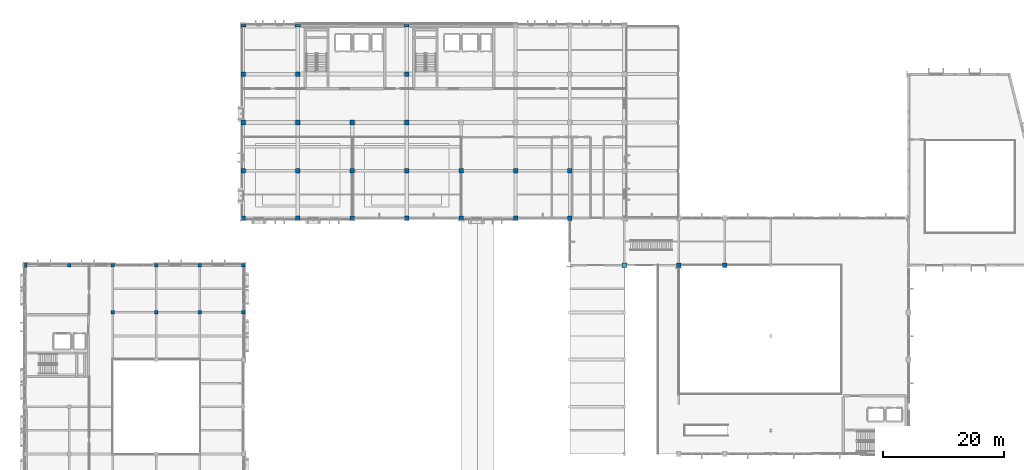
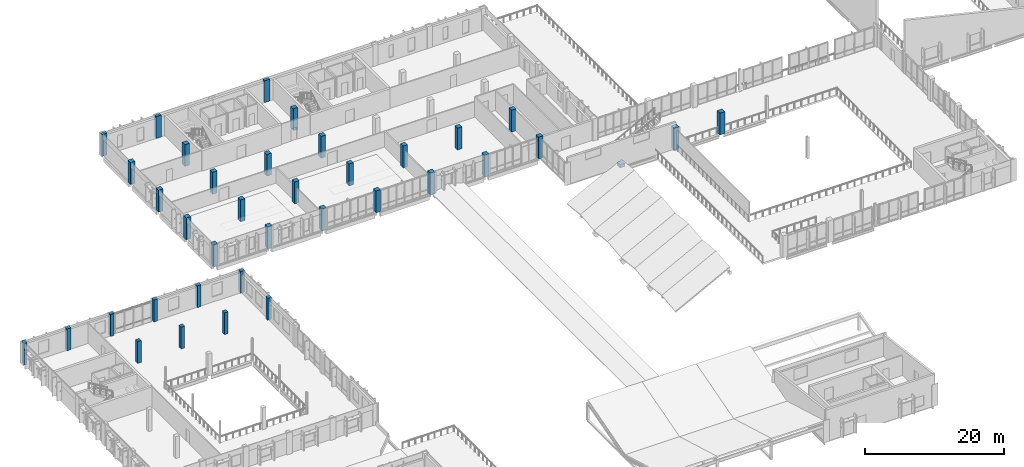
# One storey, part 7 of 64: 37 columns.
"""IFC4 building model written with IfcOpenShell, lengths in metres."""

import ifcopenshell
import ifcopenshell.guid

model = None  # the IFC model being written
_history = None  # IfcOwnerHistory: only IFC2X3 demands one
_inside = {}  # id of a spatial element -> (the spatial element, [elements in it])
_under = {}  # id of a project, library or spatial element -> (it, [spatial elements below it])
_declared = {}  # id of a project -> (the project, [libraries it declares])
_typed = {}  # id of a type object -> (the type object, [elements of that type])
_made_of = {}  # id of a material, layer set ... -> (it, [elements and type objects made of it])


def new_model(schema):
    """Start an empty IFC model of exactly this schema.

    Asked for "IFC4X3", IfcOpenShell would pick the latest addendum, in which some entities
    have other attributes; the version numbers below select the first issue.
    IFC2X3 requires an IfcOwnerHistory on every rooted entity: one is made here for all.
    """
    global model, _history
    if schema == "IFC4X3":
        model = ifcopenshell.file(schema_version=(4, 3, 0, 0))
    else:
        model = ifcopenshell.file(schema=schema)
    _inside.clear()
    _under.clear()
    _declared.clear()
    _typed.clear()
    _made_of.clear()
    _history = None
    if model.schema == "IFC2X3":
        org = make("IfcOrganization", Name="unknown")
        user = make(
            "IfcPersonAndOrganization",
            ThePerson=make("IfcPerson", FamilyName="unknown"),
            TheOrganization=org,
        )
        app = make(
            "IfcApplication",
            ApplicationDeveloper=org,
            Version="unknown",
            ApplicationFullName="unknown",
            ApplicationIdentifier="unknown",
        )
        _history = make(
            "IfcOwnerHistory",
            OwningUser=user,
            OwningApplication=app,
            ChangeAction="ADDED",
            CreationDate=0,
        )
    return model


def make(cls, **values):
    """One entity of the class cls with the attributes given. An attribute that is None is left unset."""
    return model.create_entity(
        cls, **{name: value for name, value in values.items() if value is not None}
    )


def rooted(cls, **values):
    """An entity with a GlobalId (a new one), such as an element, a storey or a relation."""
    return make(cls, GlobalId=ifcopenshell.guid.new(), OwnerHistory=_history, **values)


def si_unit(unit_type, name, prefix=None):
    """IfcSIUnit, for example si_unit("LENGTHUNIT", "METRE", prefix="MILLI")."""
    return make("IfcSIUnit", UnitType=unit_type, Prefix=prefix, Name=name)


def assignment(units):
    """IfcUnitAssignment: the units of a project."""
    return None if units is None else make("IfcUnitAssignment", Units=units)


def point(xyz):
    """IfcCartesianPoint."""
    return None if xyz is None else make("IfcCartesianPoint", Coordinates=xyz)


def direction(xyz):
    """IfcDirection."""
    return None if xyz is None else make("IfcDirection", DirectionRatios=xyz)


def frame(location, z_axis=None, x_axis=None):
    """IfcAxis2Placement3D, a coordinate frame: its origin and axes. An axis left out is left unset."""
    return make(
        "IfcAxis2Placement3D",
        Location=point(location),
        Axis=direction(z_axis),
        RefDirection=direction(x_axis),
    )


def frame_2d(location, x_axis=None):
    """IfcAxis2Placement2D, a coordinate frame in the plane: its origin and x axis."""
    return make(
        "IfcAxis2Placement2D", Location=point(location), RefDirection=direction(x_axis)
    )


def origin():
    """The frame at (0, 0, 0) with its axes left unset."""
    return frame((0.0, 0.0, 0.0))


def origin_2d():
    """The frame at (0, 0) in the plane with its x axis left unset."""
    return frame_2d((0.0, 0.0))


def place(relative_to, where):
    """IfcLocalPlacement: puts the frame where relative to a parent placement (None: the world)."""
    return make(
        "IfcLocalPlacement", PlacementRelTo=relative_to, RelativePlacement=where
    )


def context(
    kind, dimensions, precision=None, world=None, true_north=None, identifier=None
):
    """IfcGeometricRepresentationContext, for example the 3D "Model" context."""
    return make(
        "IfcGeometricRepresentationContext",
        ContextIdentifier=identifier,
        ContextType=kind,
        CoordinateSpaceDimension=dimensions,
        Precision=precision,
        WorldCoordinateSystem=world,
        TrueNorth=true_north,
    )


def subcontext(parent, identifier, kind, view, scale=None):
    """IfcGeometricRepresentationSubContext, for example "Body" below "Model"."""
    return make(
        "IfcGeometricRepresentationSubContext",
        ContextIdentifier=identifier,
        ContextType=kind,
        ParentContext=parent,
        TargetScale=scale,
        TargetView=view,
    )


def project(units=None, contexts=None):
    """IfcProject with its units and contexts."""
    return rooted(
        "IfcProject",
        Name="project",
        RepresentationContexts=contexts,
        UnitsInContext=assignment(units),
    )


def spatial(cls, under=None, at=None, **own):
    """A site, building, storey or space (cls), placed at a placement, below another one or the project."""
    s = rooted(cls, ObjectPlacement=at, **own)
    if under is not None:
        _under.setdefault(under.id(), (under, []))[1].append(s)
    return s


def profile(cls, at=None, kind="AREA", **sizes):
    """A parametric profile (cls). Its sizes go by their IFC names, for example OverallWidth=200.0."""
    return make(cls, ProfileType=kind, Position=at, **sizes)


def rectangle(**sizes):
    """IfcRectangleProfileDef."""
    return profile("IfcRectangleProfileDef", **sizes)


def extrude(swept, where, along, depth):
    """IfcExtrudedAreaSolid: the profile swept, set in the frame where, extruded along a direction by depth."""
    return make(
        "IfcExtrudedAreaSolid",
        SweptArea=swept,
        Position=where,
        ExtrudedDirection=direction(along),
        Depth=depth,
    )


def shape(context_of_items, identifier, shape_type, items):
    """IfcShapeRepresentation: the items that make up one representation, for example the "Body"."""
    return make(
        "IfcShapeRepresentation",
        ContextOfItems=context_of_items,
        RepresentationIdentifier=identifier,
        RepresentationType=shape_type,
        Items=items,
    )


def material(Name=None, Category=None):
    """IfcMaterial."""
    return make("IfcMaterial", Name=Name, Category=Category)


def material_profile(
    of_material, cross_section, Name=None, Category=None, Priority=None
):
    """IfcMaterialProfile: a cross section and its material."""
    return make(
        "IfcMaterialProfile",
        Name=Name,
        Material=of_material,
        Profile=cross_section,
        Priority=Priority,
        Category=Category,
    )


def profile_set(profiles, Name=None, composite=None):
    """IfcMaterialProfileSet."""
    return make(
        "IfcMaterialProfileSet",
        Name=Name,
        MaterialProfiles=profiles,
        CompositeProfile=composite,
    )


def made_of(thing, what):
    """Note that an element or type object is made of a material, layer set ...; save() writes the relation."""
    if what is not None:
        _made_of.setdefault(what.id(), (what, []))[1].append(thing)
    return thing


def type_object(cls, material=None, **own):
    """A type object (cls), such as IfcWallType, which elements share."""
    return made_of(rooted(cls, **own), material)


def element(
    cls,
    number,
    at=None,
    inside=None,
    cuts=None,
    type_object=None,
    material=None,
    context=None,
    identifier="Body",
    shape_type=None,
    held_by="IfcProductDefinitionShape",
    body=None,
    shapes=None,
    **own,
):
    """One element of the class cls, such as IfcWall. Its Tag is "e" and its number.

    at: its placement. inside: the storey or other place that contains it. cuts: it is an
    opening in that element (IfcRelVoidsElement). A single representation is given by context,
    identifier, shape_type and body (its items); several are given by shapes. held_by: the class
    of the entity that holds the representations. save() writes the other relations.
    """
    e = rooted(cls, Tag="e%d" % number, ObjectPlacement=at, **own)
    if body is not None:
        shapes = [shape(context, identifier, shape_type, body)]
    if shapes is not None:
        e.Representation = make(held_by, Representations=shapes)
    if inside is not None:
        _inside.setdefault(inside.id(), (inside, []))[1].append(e)
    if cuts is not None:
        rooted(
            "IfcRelVoidsElement", RelatingBuildingElement=cuts, RelatedOpeningElement=e
        )
    if type_object is not None:
        _typed.setdefault(type_object.id(), (type_object, []))[1].append(e)
    return made_of(e, material)


def aggregate(whole, parts):
    """IfcRelAggregates: a whole, such as a stair, and the parts it consists of."""
    return rooted("IfcRelAggregates", RelatingObject=whole, RelatedObjects=parts)


def save(model, path):
    """Write the relations noted so far, then the file.

    IfcRelAggregates (storeys below a building ...), IfcRelContainedInSpatialStructure (elements
    in a storey), IfcRelDefinesByType, IfcRelAssociatesMaterial and IfcRelDeclares: one each for
    every whole, place, type object, material and project.
    """
    for whole, parts in _under.values():
        aggregate(whole, parts)
    for where, things in _inside.values():
        rooted(
            "IfcRelContainedInSpatialStructure",
            RelatedElements=things,
            RelatingStructure=where,
        )
    for kind, things in _typed.values():
        rooted("IfcRelDefinesByType", RelatedObjects=things, RelatingType=kind)
    for what, things in _made_of.values():
        rooted("IfcRelAssociatesMaterial", RelatedObjects=things, RelatingMaterial=what)
    for by, libraries in _declared.values():
        rooted("IfcRelDeclares", RelatingContext=by, RelatedDefinitions=libraries)
    model.write(path)


model = new_model("IFC4")

# Units and contexts
model_context = context("Model", 3, precision=1e-05, world=origin(), true_north=direction((0.0, 1.0)))
body_context = subcontext(model_context, "Body", "Model", "MODEL_VIEW")
ifc_project = project(units=[si_unit("LENGTHUNIT", "METRE"), si_unit("AREAUNIT", "SQUARE_METRE"), si_unit("VOLUMEUNIT", "CUBIC_METRE"), si_unit("PLANEANGLEUNIT", "RADIAN"), si_unit("MASSUNIT", "GRAM", prefix="KILO")], contexts=[model_context])

# Site, building, storey
site_placement = place(None, origin())
site = spatial("IfcSite", under=ifc_project, at=site_placement, CompositionType="ELEMENT")
building_placement = place(site_placement, origin())
building = spatial("IfcBuilding", under=site, at=building_placement, Name="Vervanel Yard Central Library", CompositionType="ELEMENT")
storey_placement = place(building_placement, frame((0.0, 0.0, 8.93994140625)))
storey = spatial("IfcBuildingStorey", under=building, at=storey_placement, Name="L02", CompositionType="ELEMENT", Elevation=8.93994140625)

# Columns
ifc_material_1 = material(Name="Concrete C40/50", Category="concrete")
ifc_material_profile_1 = material_profile(ifc_material_1, rectangle(XDim=0.60009765625, YDim=0.60009765625, at=origin_2d()), Name="RC 600x600", Category="concrete")
ifc_profile_set_1 = profile_set([ifc_material_profile_1], Name="Concrete C40/50")
column_type_1 = type_object("IfcColumnType", Name="Concrete Column 600x600", PredefinedType="COLUMN", material=ifc_profile_set_1)
for number, where, z_axis, x_axis, name in (
    (1, (7.199951171875, 74.39990234375, 0.0), (0.0, 0.0, 1.0), (1.0, 0.0, 0.0), "L02 Concrete Column 600x600 (7.2, 74.4)"),
    (2, (14.39990234375, 66.60009765625, 0.0), (0.0, 0.0, 1.0), (1.0, 0.0, 0.0), "L02 Concrete Column 600x600 (14.4, 66.6)"),
    (3, (14.39990234375, 74.39990234375, 0.0), (0.0, 0.0, 1.0), (1.0, 0.0, 0.0), "L02 Concrete Column 600x600 (14.4, 74.4)"),
    (4, (21.60009765625, 66.60009765625, 0.0), (0.0, 0.0, 1.0), (1.0, 0.0, 0.0), "L02 Concrete Column 600x600 (21.6, 66.6)"),
    (5, (21.60009765625, 74.39990234375, 0.0), (0.0, 0.0, 1.0), (1.0, 0.0, 0.0), "L02 Concrete Column 600x600 (21.6, 74.4)"),
    (6, (28.800048828125, 66.60009765625, 0.0), (0.0, 0.0, 1.0), (1.0, 0.0, 0.0), "L02 Concrete Column 600x600 (28.8, 66.6)"),
    (7, (28.800048828125, 74.39990234375, 0.0), (0.0, 0.0, 1.0), (1.0, 0.0, 0.0), "L02 Concrete Column 600x600 (28.8, 74.4)"),
    (8, (36.0, 66.60009765625, 0.0), (0.0, 0.0, 1.0), (1.0, 0.0, 0.0), "L02 Concrete Column 600x600 (36.0, 66.6)"),
    (9, (36.0, 74.39990234375, 0.0), (0.0, 0.0, 1.0), (1.0, 0.0, 0.0), "L02 Concrete Column 600x600 (36.0, 74.4)"),
):
    element("IfcColumn", number, at=place(storey_placement, frame(where, z_axis=z_axis, x_axis=x_axis)), inside=storey, type_object=column_type_1, Name=name, PredefinedType="COLUMN", context=body_context, shape_type="SweptSolid", body=[
        extrude(rectangle(XDim=0.60009765625, YDim=0.60009765625, at=origin_2d()), origin(), (0.0, 0.0, 1.0), 3.840087890625),
    ])
ifc_material_profile_2 = material_profile(ifc_material_1, rectangle(XDim=0.75, YDim=0.75, at=origin_2d()), Name="RC 750x750", Category="concrete")
ifc_profile_set_2 = profile_set([ifc_material_profile_2], Name="Concrete C40/50")
column_type_2 = type_object("IfcColumnType", Name="Concrete Column 750x750", PredefinedType="COLUMN", material=ifc_profile_set_2)
for number, where, z_axis, x_axis, name in (
    (10, (36.0, 82.199951171875, 0.0), (0.0, 0.0, 1.0), (1.0, 0.0, 0.0), "L02 Concrete Column 750x750 (36.0, 82.2)"),
    (11, (36.0, 90.0, 0.0), (0.0, 0.0, 1.0), (1.0, 0.0, 0.0), "L02 Concrete Column 750x750 (36.0, 90.0)"),
    (12, (36.0, 98.0, 0.0), (0.0, 0.0, 1.0), (1.0, 0.0, 0.0), "L02 Concrete Column 750x750 (36.0, 98.0)"),
    (13, (36.0, 106.0, 0.0), (0.0, 0.0, 1.0), (1.0, 0.0, 0.0), "L02 Concrete Column 750x750 (36.0, 106.0)"),
    (14, (45.0, 82.199951171875, 0.0), (0.0, 0.0, 1.0), (1.0, 0.0, 0.0), "L02 Concrete Column 750x750 (45.0, 82.2)"),
    (15, (45.0, 90.0, 0.0), (0.0, 0.0, 1.0), (1.0, 0.0, 0.0), "L02 Concrete Column 750x750 (45.0, 90.0)"),
    (16, (45.0, 98.0, 0.0), (0.0, 0.0, 1.0), (1.0, 0.0, 0.0), "L02 Concrete Column 750x750 (45.0, 98.0)"),
    (17, (45.0, 106.0, 0.0), (0.0, 0.0, 1.0), (1.0, 0.0, 0.0), "L02 Concrete Column 750x750 (45.0, 106.0)"),
    (18, (54.0, 82.199951171875, 0.0), (0.0, 0.0, 1.0), (1.0, 0.0, 0.0), "L02 Concrete Column 750x750 (54.0, 82.2)"),
    (19, (54.0, 90.0, 0.0), (0.0, 0.0, 1.0), (1.0, 0.0, 0.0), "L02 Concrete Column 750x750 (54.0, 90.0)"),
    (20, (54.0, 98.0, 0.0), (0.0, 0.0, 1.0), (1.0, 0.0, 0.0), "L02 Concrete Column 750x750 (54.0, 98.0)"),
    (21, (63.0, 82.199951171875, 0.0), (0.0, 0.0, 1.0), (1.0, 0.0, 0.0), "L02 Concrete Column 750x750 (63.0, 82.2)"),
    (22, (63.0, 90.0, 0.0), (0.0, 0.0, 1.0), (1.0, 0.0, 0.0), "L02 Concrete Column 750x750 (63.0, 90.0)"),
    (23, (63.0, 98.0, 0.0), (0.0, 0.0, 1.0), (1.0, 0.0, 0.0), "L02 Concrete Column 750x750 (63.0, 98.0)"),
    (24, (63.0, 106.0, 0.0), (0.0, 0.0, 1.0), (1.0, 0.0, 0.0), "L02 Concrete Column 750x750 (63.0, 106.0)"),
    (25, (72.0, 82.199951171875, 0.0), (0.0, 0.0, 1.0), (1.0, 0.0, 0.0), "L02 Concrete Column 750x750 (72.0, 82.2)"),
    (26, (72.0, 90.0, 0.0), (0.0, 0.0, 1.0), (1.0, 0.0, 0.0), "L02 Concrete Column 750x750 (72.0, 90.0)"),
    (27, (81.0, 82.199951171875, 0.0), (0.0, 0.0, 1.0), (1.0, 0.0, 0.0), "L02 Concrete Column 750x750 (81.0, 82.2)"),
    (28, (81.0, 90.0, 0.0), (0.0, 0.0, 1.0), (1.0, 0.0, 0.0), "L02 Concrete Column 750x750 (81.0, 90.0)"),
    (29, (90.0, 82.199951171875, 0.0), (0.0, 0.0, 1.0), (1.0, 0.0, 0.0), "L02 Concrete Column 750x750 (90.0, 82.2)"),
    (30, (90.0, 90.0, 0.0), (0.0, 0.0, 1.0), (1.0, 0.0, 0.0), "L02 Concrete Column 750x750 (90.0, 90.0)"),
):
    element("IfcColumn", number, at=place(storey_placement, frame(where, z_axis=z_axis, x_axis=x_axis)), inside=storey, type_object=column_type_2, Name=name, PredefinedType="COLUMN", context=body_context, shape_type="SweptSolid", body=[
        extrude(rectangle(XDim=0.75, YDim=0.75, at=origin_2d()), origin(), (0.0, 0.0, 1.0), 3.840087890625),
    ])
ifc_material_2 = material(Name="Concrete C45/55", Category="concrete")
ifc_material_profile_3 = material_profile(ifc_material_2, rectangle(XDim=0.800048828125, YDim=0.800048828125, at=origin_2d()), Name="RC 800x800", Category="concrete")
ifc_profile_set_3 = profile_set([ifc_material_profile_3], Name="Concrete C45/55")
column_type_3 = type_object("IfcColumnType", Name="Concrete Column 800x800", PredefinedType="COLUMN", material=ifc_profile_set_3)
column_1_placement = place(storey_placement, frame((99.0, 74.39990234375, 0.0), z_axis=(0.0, 0.0, 1.0), x_axis=(1.0, 0.0, 0.0)))
element("IfcColumn", 31, at=column_1_placement, inside=storey, type_object=column_type_3, Name="L02 Concrete Column 800x800 (99.0, 74.4)", PredefinedType="COLUMN", context=body_context, shape_type="SweptSolid", body=[
    extrude(rectangle(XDim=0.800048828125, YDim=0.800048828125, at=origin_2d()), origin(), (0.0, 0.0, 1.0), 0.60498046875),
])
for number, where, z_axis, x_axis, name in (
    (32, (108.0, 74.39990234375, 0.0), (0.0, 0.0, 1.0), (1.0, 0.0, 0.0), "L02 Concrete Column 800x800 (108.0, 74.4)"),
    (33, (115.60009765625, 74.39990234375, 0.0), (0.0, 0.0, 1.0), (1.0, 0.0, 0.0), "L02 Concrete Column 800x800 (115.6, 74.4)"),
):
    element("IfcColumn", number, at=place(storey_placement, frame(where, z_axis=z_axis, x_axis=x_axis)), inside=storey, type_object=column_type_3, Name=name, PredefinedType="COLUMN", context=body_context, shape_type="SweptSolid", body=[
        extrude(rectangle(XDim=0.800048828125, YDim=0.800048828125, at=origin_2d()), origin(), (0.0, 0.0, 1.0), 3.840087890625),
    ])
ifc_material_profile_4 = material_profile(ifc_material_1, rectangle(XDim=0.419921875, YDim=0.780029296875, at=origin_2d()), Name="RC 420x780", Category="concrete")
ifc_profile_set_4 = profile_set([ifc_material_profile_4], Name="Concrete C40/50")
column_type_4 = type_object("IfcColumnType", Name="Perimeter Pilaster 420x780", PredefinedType="PILASTER", material=ifc_profile_set_4)
column_2_placement = place(storey_placement, frame((0.0, 74.39990234375, 0.0), z_axis=(0.0, 0.0, 1.0), x_axis=(1.0, 0.0, 0.0)))
element("IfcColumn", 34, at=column_2_placement, inside=storey, type_object=column_type_4, Name="L02 Perimeter Pilaster 420x780 (0.0, 74.4)", PredefinedType="PILASTER", context=body_context, shape_type="SweptSolid", body=[
    extrude(rectangle(XDim=0.419921875, YDim=0.780029296875, at=origin_2d()), origin(), (0.0, 0.0, 1.0), 3.840087890625),
])
ifc_material_profile_5 = material_profile(ifc_material_2, rectangle(XDim=0.449951171875, YDim=0.85009765625, at=origin_2d()), Name="RC 450x850", Category="concrete")
ifc_profile_set_5 = profile_set([ifc_material_profile_5], Name="Concrete C45/55")
column_type_5 = type_object("IfcColumnType", Name="Stack Spine Column 450x850", PredefinedType="COLUMN", material=ifc_profile_set_5)
for number, where, z_axis, x_axis, name in (
    (35, (36.0, 114.0, 0.0), (0.0, 0.0, 1.0), (0.0, 1.0, 0.0), "L02 Stack Spine Column 450x850 (36.0, 114.0)"),
    (36, (45.0, 114.0, 0.0), (0.0, 0.0, 1.0), (0.0, 1.0, 0.0), "L02 Stack Spine Column 450x850 (45.0, 114.0)"),
    (37, (63.0, 114.0, 0.0), (0.0, 0.0, 1.0), (0.0, 1.0, 0.0), "L02 Stack Spine Column 450x850 (63.0, 114.0)"),
):
    element("IfcColumn", number, at=place(storey_placement, frame(where, z_axis=z_axis, x_axis=x_axis)), inside=storey, type_object=column_type_5, Name=name, PredefinedType="COLUMN", context=body_context, shape_type="SweptSolid", body=[
        extrude(rectangle(XDim=0.449951171875, YDim=0.85009765625, at=origin_2d()), origin(), (0.0, 0.0, 1.0), 3.840087890625),
    ])

save(model, "model.ifc")
